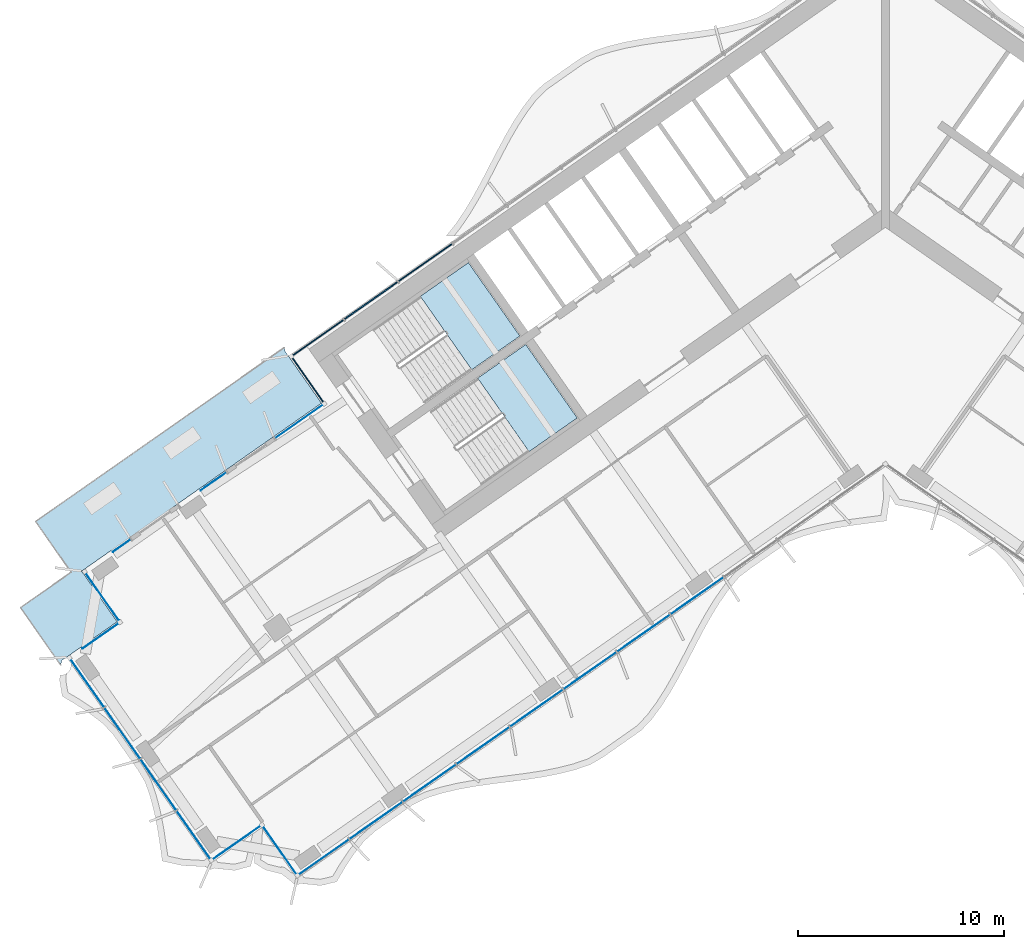
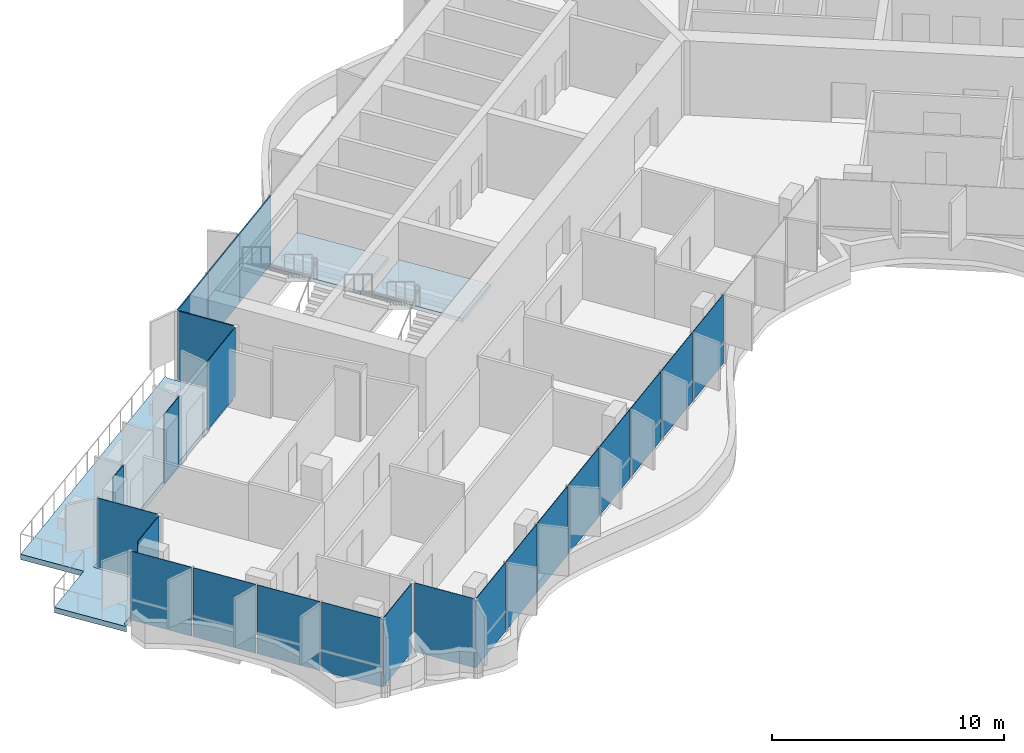
# One storey, part 10 of 24: 23 plates, 3 slabs, 6 elements without a shape of their own.
"""IFC4 building model written with IfcOpenShell, lengths in metres."""

from ifc_helpers import new_model, si_unit, direction, frame, origin, origin_2d, place, context, subcontext, project, spatial, polyline, rectangle, outline, extrude, material, layer, layer_set, type_object, element, aggregate, save


model = new_model("IFC4")

# Units and contexts
model_context = context("Model", 3, precision=1e-05, world=origin(), true_north=direction((0.0, 1.0)))
body_context = subcontext(model_context, "Body", "Model", "MODEL_VIEW")
ifc_project = project(units=[si_unit("LENGTHUNIT", "METRE"), si_unit("AREAUNIT", "SQUARE_METRE"), si_unit("VOLUMEUNIT", "CUBIC_METRE"), si_unit("PLANEANGLEUNIT", "RADIAN"), si_unit("MASSUNIT", "GRAM", prefix="KILO")], contexts=[model_context])

# Site, building, storey
site_placement = place(None, origin())
site = spatial("IfcSite", under=ifc_project, at=site_placement, CompositionType="ELEMENT")
building_placement = place(site_placement, origin())
building = spatial("IfcBuilding", under=site, at=building_placement, Name="Tel Ilan Convention Tower", CompositionType="ELEMENT")
storey_placement = place(building_placement, frame((0.0, 0.0, 132.0)))
storey = spatial("IfcBuildingStorey", under=building, at=storey_placement, Name="L29", CompositionType="ELEMENT", Elevation=132.0)

# Curtain wall, plate
ifc_material_1 = material(Name="Aluminium, bronze anodised", Category="aluminium")
curtain_wall_type_1 = type_object("IfcCurtainWallType", Name="CW4 STICK CURTAIN WALL, OFFICE TINTED GLASS", PredefinedType="NOTDEFINED", material=ifc_material_1)
curtain_wall_1_placement = place(storey_placement, origin())
curtain_wall_1 = element("IfcCurtainWall", 1, at=curtain_wall_1_placement, inside=storey, type_object=curtain_wall_type_1, Name="Curtain wall CW4-23.06", PredefinedType="NOTDEFINED")
ifc_material_2 = material(Name="Glass, bronze tinted, two-ply", Category="glass")
ifc_layer_1 = layer(ifc_material_2, 0.028076171875)
ifc_layer_set_1 = layer_set([ifc_layer_1], Name="CW GLASS PANEL 28")
plate_type_1 = type_object("IfcPlateType", Name="CW GLASS PANEL 28", PredefinedType="CURTAIN_PANEL", material=ifc_layer_set_1)
plate_1_placement = place(storey_placement, frame((-28.44677734375, -10.640625, 0.0), z_axis=(0.0, 0.0, 1.0), x_axis=(-0.819152044289, -0.573576436351, 0.0)))
plate_1 = element("IfcPlate", 2, at=plate_1_placement, type_object=plate_type_1, Name="Glass panel", PredefinedType="CURTAIN_PANEL", context=body_context, shape_type="SweptSolid", body=[
    extrude(rectangle(XDim=2.80908203125, YDim=0.028076171875, at=origin_2d()), origin(), (0.0, 0.0, 1.0), 3.6201171875),
])
aggregate(curtain_wall_1, [plate_1])

curtain_wall_2_placement = place(storey_placement, origin())
curtain_wall_2 = element("IfcCurtainWall", 3, at=curtain_wall_2_placement, inside=storey, type_object=curtain_wall_type_1, Name="Curtain wall CW4-23.08", PredefinedType="NOTDEFINED")
plate_2_placement = place(storey_placement, frame((-32.5927734375, -13.5439453125, 0.0), z_axis=(0.0, 0.0, 1.0), x_axis=(-0.819152044289, -0.573576436351, 0.0)))
plate_2 = element("IfcPlate", 4, at=plate_2_placement, type_object=plate_type_1, Name="Glass panel", PredefinedType="CURTAIN_PANEL", context=body_context, shape_type="SweptSolid", body=[
    extrude(rectangle(XDim=1.513916015625, YDim=0.028076171875, at=origin_2d()), origin(), (0.0, 0.0, 1.0), 3.6201171875),
])
aggregate(curtain_wall_2, [plate_2])

# Curtain wall, plates
curtain_wall_3_placement = place(storey_placement, origin())
curtain_wall_3 = element("IfcCurtainWall", 5, at=curtain_wall_3_placement, inside=storey, type_object=curtain_wall_type_1, Name="Curtain wall CW4-23.10", PredefinedType="NOTDEFINED")
plate_3_placement = place(storey_placement, frame((-37.049072265625, -16.6640625, 0.0), z_axis=(0.0, 0.0, 1.0), x_axis=(-0.819152044289, -0.573576436351, 0.0)))
plate_3 = element("IfcPlate", 6, at=plate_3_placement, type_object=plate_type_1, Name="Glass panel", PredefinedType="CURTAIN_PANEL", context=body_context, shape_type="SweptSolid", body=[
    extrude(rectangle(XDim=1.033935546875, YDim=0.028076171875, at=origin_2d()), origin(), (0.0, 0.0, 1.0), 3.6201171875),
])
plate_4_placement = place(storey_placement, frame((-38.007080078125, -19.119140625, 0.0), z_axis=(0.0, 0.0, 1.0), x_axis=(0.573576436351, -0.819152044289, 0.0)))
plate_4 = element("IfcPlate", 7, at=plate_4_placement, type_object=plate_type_1, Name="Glass panel", PredefinedType="CURTAIN_PANEL", context=body_context, shape_type="SweptSolid", body=[
    extrude(rectangle(XDim=2.875, YDim=0.028076171875, at=origin_2d()), origin(), (0.0, 0.0, 1.0), 3.6201171875),
])
plate_5_placement = place(storey_placement, frame((-38.076904296875, -21.046142578125, 0.0), z_axis=(0.0, 0.0, 1.0), x_axis=(-0.819152044289, -0.573576436351, 0.0)))
plate_5 = element("IfcPlate", 8, at=plate_5_placement, type_object=plate_type_1, Name="Glass panel", PredefinedType="CURTAIN_PANEL", context=body_context, shape_type="SweptSolid", body=[
    extrude(rectangle(XDim=2.123046875, YDim=0.028076171875, at=origin_2d()), origin(), (0.0, 0.0, 1.0), 3.6201171875),
])
plate_6_placement = place(storey_placement, frame((-38.73779296875, -23.305908203125, 0.0), z_axis=(0.0, 0.0, 1.0), x_axis=(0.573576436351, -0.819152044289, 0.0)))
plate_6 = element("IfcPlate", 9, at=plate_6_placement, type_object=plate_type_1, Name="Glass panel", PredefinedType="CURTAIN_PANEL", context=body_context, shape_type="SweptSolid", body=[
    extrude(rectangle(XDim=2.89599609375, YDim=0.028076171875, at=origin_2d()), origin(), (0.0, 0.0, 1.0), 3.6201171875),
])
plate_7_placement = place(storey_placement, frame((-37.015380859375, -25.765869140625, 0.0), z_axis=(0.0, 0.0, 1.0), x_axis=(0.573576436351, -0.819152044289, 0.0)))
plate_7 = element("IfcPlate", 10, at=plate_7_placement, type_object=plate_type_1, Name="Glass panel", PredefinedType="CURTAIN_PANEL", context=body_context, shape_type="SweptSolid", body=[
    extrude(rectangle(XDim=2.989990234375, YDim=0.028076171875, at=origin_2d()), origin(), (0.0, 0.0, 1.0), 3.6201171875),
])
plate_8_placement = place(storey_placement, frame((-35.26611328125, -28.264404296875, 0.0), z_axis=(0.0, 0.0, 1.0), x_axis=(0.573576436351, -0.819152044289, 0.0)))
plate_8 = element("IfcPlate", 11, at=plate_8_placement, type_object=plate_type_1, Name="Glass panel", PredefinedType="CURTAIN_PANEL", context=body_context, shape_type="SweptSolid", body=[
    extrude(rectangle(XDim=2.989990234375, YDim=0.028076171875, at=origin_2d()), origin(), (0.0, 0.0, 1.0), 3.6201171875),
])
plate_9_placement = place(storey_placement, frame((-33.543701171875, -30.72412109375, 0.0), z_axis=(0.0, 0.0, 1.0), x_axis=(0.573576436351, -0.819152044289, 0.0)))
plate_9 = element("IfcPlate", 12, at=plate_9_placement, type_object=plate_type_1, Name="Glass panel", PredefinedType="CURTAIN_PANEL", context=body_context, shape_type="SweptSolid", body=[
    extrude(rectangle(XDim=2.89599609375, YDim=0.028076171875, at=origin_2d()), origin(), (0.0, 0.0, 1.0), 3.6201171875),
])
plate_10_placement = place(storey_placement, frame((-31.502197265625, -31.091796875, 0.0), z_axis=(0.0, 0.0, 1.0), x_axis=(0.819152044289, 0.573576436351, 0.0)))
plate_10 = element("IfcPlate", 13, at=plate_10_placement, type_object=plate_type_1, Name="Glass panel", PredefinedType="CURTAIN_PANEL", context=body_context, shape_type="SweptSolid", body=[
    extrude(rectangle(XDim=2.875, YDim=0.028076171875, at=origin_2d()), origin(), (0.0, 0.0, 1.0), 3.6201171875),
])
plate_11_placement = place(storey_placement, frame((-29.359375, -31.469482421875, 0.0), z_axis=(0.0, 0.0, 1.0), x_axis=(0.573576436351, -0.819152044289, 0.0)))
plate_11 = element("IfcPlate", 14, at=plate_11_placement, type_object=plate_type_1, Name="Glass panel", PredefinedType="CURTAIN_PANEL", context=body_context, shape_type="SweptSolid", body=[
    extrude(rectangle(XDim=2.875, YDim=0.028076171875, at=origin_2d()), origin(), (0.0, 0.0, 1.0), 3.6201171875),
])
plate_12_placement = place(storey_placement, frame((-27.26708984375, -31.78857421875, 0.0), z_axis=(0.0, 0.0, 1.0), x_axis=(0.819152044289, 0.573576436351, 0.0)))
plate_12 = element("IfcPlate", 15, at=plate_12_placement, type_object=plate_type_1, Name="Glass panel", PredefinedType="CURTAIN_PANEL", context=body_context, shape_type="SweptSolid", body=[
    extrude(rectangle(XDim=3.013916015625, YDim=0.028076171875, at=origin_2d()), origin(), (0.0, 0.0, 1.0), 3.6201171875),
])
plate_13_placement = place(storey_placement, frame((-24.71044921875, -29.99853515625, 0.0), z_axis=(0.0, 0.0, 1.0), x_axis=(0.819152044289, 0.573576436351, 0.0)))
plate_13 = element("IfcPlate", 16, at=plate_13_placement, type_object=plate_type_1, Name="Glass panel", PredefinedType="CURTAIN_PANEL", context=body_context, shape_type="SweptSolid", body=[
    extrude(rectangle(XDim=3.10791015625, YDim=0.028076171875, at=origin_2d()), origin(), (0.0, 0.0, 1.0), 3.6201171875),
])
plate_14_placement = place(storey_placement, frame((-22.115478515625, -28.181396484375, 0.0), z_axis=(0.0, 0.0, 1.0), x_axis=(0.819152044289, 0.573576436351, 0.0)))
plate_14 = element("IfcPlate", 17, at=plate_14_placement, type_object=plate_type_1, Name="Glass panel", PredefinedType="CURTAIN_PANEL", context=body_context, shape_type="SweptSolid", body=[
    extrude(rectangle(XDim=3.10791015625, YDim=0.028076171875, at=origin_2d()), origin(), (0.0, 0.0, 1.0), 3.6201171875),
])
plate_15_placement = place(storey_placement, frame((-19.520263671875, -26.3642578125, 0.0), z_axis=(0.0, 0.0, 1.0), x_axis=(0.819152044289, 0.573576436351, 0.0)))
plate_15 = element("IfcPlate", 18, at=plate_15_placement, type_object=plate_type_1, Name="Glass panel", PredefinedType="CURTAIN_PANEL", context=body_context, shape_type="SweptSolid", body=[
    extrude(rectangle(XDim=3.10791015625, YDim=0.028076171875, at=origin_2d()), origin(), (0.0, 0.0, 1.0), 3.6201171875),
])
plate_16_placement = place(storey_placement, frame((-16.92529296875, -24.54736328125, 0.0), z_axis=(0.0, 0.0, 1.0), x_axis=(0.819152044289, 0.573576436351, 0.0)))
plate_16 = element("IfcPlate", 19, at=plate_16_placement, type_object=plate_type_1, Name="Glass panel", PredefinedType="CURTAIN_PANEL", context=body_context, shape_type="SweptSolid", body=[
    extrude(rectangle(XDim=3.10791015625, YDim=0.028076171875, at=origin_2d()), origin(), (0.0, 0.0, 1.0), 3.6201171875),
])
plate_17_placement = place(storey_placement, frame((-14.330078125, -22.730224609375, 0.0), z_axis=(0.0, 0.0, 1.0), x_axis=(0.819152044289, 0.573576436351, 0.0)))
plate_17 = element("IfcPlate", 20, at=plate_17_placement, type_object=plate_type_1, Name="Glass panel", PredefinedType="CURTAIN_PANEL", context=body_context, shape_type="SweptSolid", body=[
    extrude(rectangle(XDim=3.10791015625, YDim=0.028076171875, at=origin_2d()), origin(), (0.0, 0.0, 1.0), 3.6201171875),
])
plate_18_placement = place(storey_placement, frame((-11.735107421875, -20.9130859375, 0.0), z_axis=(0.0, 0.0, 1.0), x_axis=(0.819152044289, 0.573576436351, 0.0)))
plate_18 = element("IfcPlate", 21, at=plate_18_placement, type_object=plate_type_1, Name="Glass panel", PredefinedType="CURTAIN_PANEL", context=body_context, shape_type="SweptSolid", body=[
    extrude(rectangle(XDim=3.10791015625, YDim=0.028076171875, at=origin_2d()), origin(), (0.0, 0.0, 1.0), 3.6201171875),
])
plate_19_placement = place(storey_placement, frame((-9.14013671875, -19.095947265625, 0.0), z_axis=(0.0, 0.0, 1.0), x_axis=(0.819152044289, 0.573576436351, 0.0)))
plate_19 = element("IfcPlate", 22, at=plate_19_placement, type_object=plate_type_1, Name="Glass panel", PredefinedType="CURTAIN_PANEL", context=body_context, shape_type="SweptSolid", body=[
    extrude(rectangle(XDim=3.10791015625, YDim=0.028076171875, at=origin_2d()), origin(), (0.0, 0.0, 1.0), 3.6201171875),
])
aggregate(curtain_wall_3, [plate_3, plate_4, plate_5, plate_6, plate_7, plate_8, plate_9, plate_10, plate_11, plate_12, plate_13, plate_14, plate_15, plate_16, plate_17, plate_18, plate_19])

ifc_material_3 = material(Name="Aluminium, bronze anodised", Category="aluminium")
curtain_wall_type_2 = type_object("IfcCurtainWallType", Name="CW2 STICK CURTAIN WALL, SPANDREL PANELS", PredefinedType="NOTDEFINED", material=ifc_material_3)
curtain_wall_4_placement = place(storey_placement, origin())
curtain_wall_4 = element("IfcCurtainWall", 23, at=curtain_wall_4_placement, inside=storey, type_object=curtain_wall_type_2, Name="Curtain wall CW2-23.05", PredefinedType="NOTDEFINED")
ifc_material_4 = material(Name="Aluminium composite panel, bronze anodised", Category="aluminium")
ifc_layer_2 = layer(ifc_material_4, 0.06005859375)
ifc_layer_set_2 = layer_set([ifc_layer_2], Name="CW SPANDREL PANEL 60")
plate_type_2 = type_object("IfcPlateType", Name="CW SPANDREL PANEL 60", PredefinedType="CURTAIN_PANEL", material=ifc_layer_set_2)
plate_20_placement = place(storey_placement, frame((-22.31982421875, -2.9326171875, 0.0), z_axis=(0.0, 0.0, 1.0), x_axis=(-0.819152044289, -0.573576436351, 0.0)))
plate_20 = element("IfcPlate", 24, at=plate_20_placement, type_object=plate_type_2, Name="Spandrel panel", PredefinedType="CURTAIN_PANEL", context=body_context, shape_type="SweptSolid", body=[
    extrude(rectangle(XDim=3.15380859375, YDim=0.06005859375, at=origin_2d()), origin(), (0.0, 0.0, 1.0), 3.6201171875),
])
plate_21_placement = place(storey_placement, frame((-24.95263671875, -4.77587890625, 0.0), z_axis=(0.0, 0.0, 1.0), x_axis=(-0.819152044289, -0.573576436351, 0.0)))
plate_21 = element("IfcPlate", 25, at=plate_21_placement, type_object=plate_type_2, Name="Spandrel panel", PredefinedType="CURTAIN_PANEL", context=body_context, shape_type="SweptSolid", body=[
    extrude(rectangle(XDim=3.15380859375, YDim=0.06005859375, at=origin_2d()), origin(), (0.0, 0.0, 1.0), 3.6201171875),
])
plate_22_placement = place(storey_placement, frame((-27.5400390625, -6.587646484375, 0.0), z_axis=(0.0, 0.0, 1.0), x_axis=(-0.819152044289, -0.573576436351, 0.0)))
plate_22 = element("IfcPlate", 26, at=plate_22_placement, type_object=plate_type_2, Name="Spandrel panel", PredefinedType="CURTAIN_PANEL", context=body_context, shape_type="SweptSolid", body=[
    extrude(rectangle(XDim=3.0439453125, YDim=0.06005859375, at=origin_2d()), origin(), (0.0, 0.0, 1.0), 3.6201171875),
])
plate_23_placement = place(storey_placement, frame((-28.033935546875, -8.60546875, 0.0), z_axis=(0.0, 0.0, 1.0), x_axis=(0.573576436351, -0.819152044289, 0.0)))
plate_23 = element("IfcPlate", 27, at=plate_23_placement, type_object=plate_type_2, Name="Spandrel panel", PredefinedType="CURTAIN_PANEL", context=body_context, shape_type="SweptSolid", body=[
    extrude(rectangle(XDim=2.658935546875, YDim=0.06005859375, at=origin_2d()), origin(), (0.0, 0.0, 1.0), 3.6201171875),
])
aggregate(curtain_wall_4, [plate_20, plate_21, plate_22, plate_23])

# Stair, slab
ifc_material_5 = material(Name="Concrete C40/50", Category="concrete")
stair_type = type_object("IfcStairType", Name="Pressurised Exit Stair 22 risers 177 mm", PredefinedType="HALF_TURN_STAIR", material=ifc_material_5)
stair_1_placement = place(storey_placement, origin())
stair_1 = element("IfcStair", 28, at=stair_1_placement, inside=storey, type_object=stair_type, Name="L29 Pressurised Stair S1", PredefinedType="HALF_TURN_STAIR")
ifc_material_6 = material(Name="Concrete C40/50", Category="concrete")
ifc_layer_3 = layer(ifc_material_6, 0.199951171875)
ifc_layer_set_3 = layer_set([ifc_layer_3], Name="Concrete Stair Landing 200 mm C40/50")
slab_type_1 = type_object("IfcSlabType", Name="Concrete Stair Landing 200 mm", PredefinedType="LANDING", material=ifc_layer_set_3)
slab_1_placement = place(storey_placement, frame((0.0, 0.0, 1.75)))
slab_1 = element("IfcSlab", 29, at=slab_1_placement, type_object=slab_type_1, Name="S1 landing 1", PredefinedType="LANDING", context=body_context, shape_type="SweptSolid", body=[
    extrude(outline(polyline([(-20.066650390625, -8.130126953125), (-17.7314453125, -6.494873046875), (-20.226318359375, -2.931640625), (-22.561767578125, -4.566650390625), (-20.066650390625, -8.130126953125)])), origin(), (0.0, 0.0, 1.0), 0.199951171875),
])
aggregate(stair_1, [slab_1])

stair_2_placement = place(storey_placement, origin())
stair_2 = element("IfcStair", 30, at=stair_2_placement, inside=storey, type_object=stair_type, Name="L29 Pressurised Stair S2", PredefinedType="HALF_TURN_STAIR")
slab_2_placement = place(storey_placement, frame((0.0, 0.0, 1.75)))
slab_2 = element("IfcSlab", 31, at=slab_2_placement, type_object=slab_type_1, Name="S2 landing 1", PredefinedType="LANDING", context=body_context, shape_type="SweptSolid", body=[
    extrude(outline(polyline([(-17.28466796875, -12.10302734375), (-14.949462890625, -10.4677734375), (-17.444580078125, -6.904541015625), (-19.77978515625, -8.53955078125), (-17.28466796875, -12.10302734375)])), origin(), (0.0, 0.0, 1.0), 0.199951171875),
])
aggregate(stair_2, [slab_2])

# Slab
ifc_material_7 = material(Name="Concrete C40/50", Category="concrete")
ifc_layer_4 = layer(ifc_material_7, 0.280029296875)
ifc_layer_set_4 = layer_set([ifc_layer_4], Name="Terrace Deck Slab 280 mm C40/50")
slab_type_2 = type_object("IfcSlabType", Name="Terrace Deck Slab 280 mm C40/50", PredefinedType="FLOOR", material=ifc_layer_set_4)
slab_3_placement = place(storey_placement, frame((0.0, 0.0, -0.280029296875)))
element("IfcSlab", 32, at=slab_3_placement, inside=storey, type_object=slab_type_2, Name="L29 terrace deck 2", PredefinedType="FLOOR", context=body_context, shape_type="SweptSolid", body=[
    extrude(outline(polyline([(-41.217529296875, -15.493408203125), (-29.143310546875, -7.038818359375), (-29.130859375, -7.21337890625), (-27.352783203125, -9.752685546875), (-38.98486328125, -17.8974609375), (-37.263916015625, -20.35498046875), (-39.96728515625, -22.247802734375), (-39.990234375, -22.476318359375), (-41.9541015625, -19.67138671875), (-39.496826171875, -17.95068359375), (-41.217529296875, -15.493408203125)])), origin(), (0.0, 0.0, 1.0), 0.280029296875),
])

save(model, "model.ifc")
